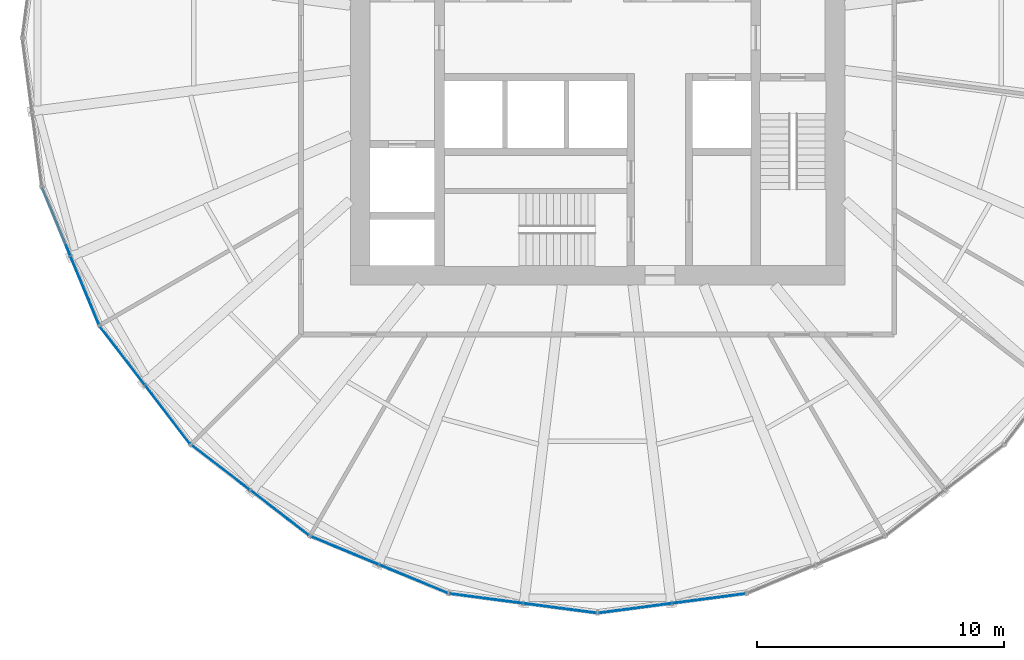
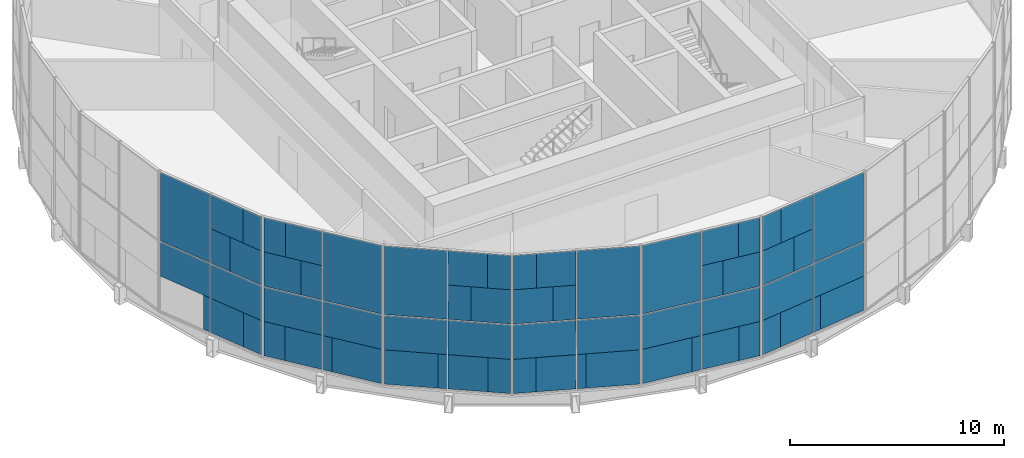
# One storey, part 8 of 18: 65 plates, 6 elements without a shape of their own.
"""IFC4 building model written with IfcOpenShell, lengths in metres."""

from ifc_helpers import new_model, si_unit, direction, frame, origin, origin_2d, place, context, subcontext, project, spatial, rectangle, extrude, material, layer, layer_set, type_object, element, aggregate, save


model = new_model("IFC4")

# Units and contexts
model_context = context("Model", 3, precision=1e-05, world=origin(), true_north=direction((0.0, 1.0)))
body_context = subcontext(model_context, "Body", "Model", "MODEL_VIEW")
ifc_project = project(units=[si_unit("LENGTHUNIT", "METRE"), si_unit("AREAUNIT", "SQUARE_METRE"), si_unit("VOLUMEUNIT", "CUBIC_METRE"), si_unit("PLANEANGLEUNIT", "RADIAN"), si_unit("MASSUNIT", "GRAM", prefix="KILO")], contexts=[model_context])

# Site, building, storey
site_placement = place(None, origin())
site = spatial("IfcSite", under=ifc_project, at=site_placement, CompositionType="ELEMENT")
building_placement = place(site_placement, origin())
building = spatial("IfcBuilding", under=site, at=building_placement, Name="Golbaran Civic Tower", CompositionType="ELEMENT")
storey_placement = place(building_placement, frame((0.0, 0.0, 45.0)))
storey = spatial("IfcBuildingStorey", under=building, at=storey_placement, Name="L10", CompositionType="ELEMENT", Elevation=45.0)

# Curtain wall, plates
ifc_material_1 = material(Name="Aluminium and glass", Category="aluminium")
curtain_wall_type = type_object("IfcCurtainWallType", Name="INNER SKIN CURTAIN WALL", PredefinedType="NOTDEFINED", material=ifc_material_1)
curtain_wall_1_placement = place(storey_placement, origin())
curtain_wall_1 = element("IfcCurtainWall", 1, at=curtain_wall_1_placement, inside=storey, type_object=curtain_wall_type, Name="Inner skin L10 facet 14 CW1", ObjectType="INNER SKIN", PredefinedType="USERDEFINED")
ifc_material_2 = material(Name="Clear insulating glass", Category="glass")
ifc_layer_1 = layer(ifc_material_2, 0.031982421875, Name="Clear insulating glass")
ifc_layer_set_1 = layer_set([ifc_layer_1], Name="Clear insulating glass")
plate_type_1 = type_object("IfcPlateType", Name="INNER SKIN CURTAIN WALL GLAZED PANEL", PredefinedType="CURTAIN_PANEL", material=ifc_layer_set_1)
plate_1_placement = place(storey_placement, frame((-21.890625, -7.441162109375, 2.016357421875), z_axis=(0.0, 0.0, 1.0), x_axis=(0.38268343251, -0.923879532451, 0.0)))
plate_1 = element("IfcPlate", 2, at=plate_1_placement, type_object=plate_type_1, Name="CW1 panel 1.1 part 3", PredefinedType="CURTAIN_PANEL", context=body_context, shape_type="SweptSolid", body=[
    extrude(rectangle(XDim=2.93994140625, YDim=0.031982421875, at=origin_2d()), origin(), (0.0, 0.0, 1.0), 1.951171875),
])
plate_2_placement = place(storey_placement, frame((-21.890625, -7.441162109375, 4.0322265625), z_axis=(0.0, 0.0, 1.0), x_axis=(0.38268343251, -0.923879532451, 0.0)))
plate_2 = element("IfcPlate", 3, at=plate_2_placement, type_object=plate_type_1, Name="CW1 panel 1.2", PredefinedType="CURTAIN_PANEL", context=body_context, shape_type="SweptSolid", body=[
    extrude(rectangle(XDim=2.93994140625, YDim=0.031982421875, at=origin_2d()), origin(), (0.0, 0.0, 1.0), 3.902587890625),
])
plate_3_placement = place(storey_placement, frame((-20.380859375, -11.086181640625, 0.06494140625), z_axis=(0.0, 0.0, 1.0), x_axis=(0.38268343251, -0.923879532451, 0.0)))
plate_3 = element("IfcPlate", 4, at=plate_3_placement, type_object=plate_type_1, Name="CW1 panel 2.1 part 2", PredefinedType="CURTAIN_PANEL", context=body_context, shape_type="SweptSolid", body=[
    extrude(rectangle(XDim=1.05908203125, YDim=0.031982421875, at=origin_2d()), origin(), (0.0, 0.0, 1.0), 1.951171875),
])
plate_4_placement = place(storey_placement, frame((-21.09619140625, -9.359130859375, 4.032470703125), z_axis=(0.0, 0.0, 1.0), x_axis=(0.38268343251, -0.923879532451, 0.0)))
plate_4 = element("IfcPlate", 5, at=plate_4_placement, type_object=plate_type_1, Name="CW1 panel 2.2 part 1", PredefinedType="CURTAIN_PANEL", context=body_context, shape_type="SweptSolid", body=[
    extrude(rectangle(XDim=1.08203125, YDim=0.031982421875, at=origin_2d()), origin(), (0.0, 0.0, 1.0), 1.951171875),
])
plate_5_placement = place(storey_placement, frame((-20.947998046875, -9.717041015625, 5.98388671875), z_axis=(0.0, 0.0, 1.0), x_axis=(0.38268343251, -0.923879532451, 0.0)))
plate_5 = element("IfcPlate", 6, at=plate_5_placement, type_object=plate_type_1, Name="CW1 panel 2.2 part 3", PredefinedType="CURTAIN_PANEL", context=body_context, shape_type="SweptSolid", body=[
    extrude(rectangle(XDim=1.85693359375, YDim=0.031982421875, at=origin_2d()), origin(), (0.0, 0.0, 1.0), 1.951171875),
])

curtain_wall_2_placement = place(storey_placement, origin())
curtain_wall_2 = element("IfcCurtainWall", 7, at=curtain_wall_2_placement, inside=storey, type_object=curtain_wall_type, Name="Inner skin L10 facet 15 CW1", ObjectType="INNER SKIN", PredefinedType="USERDEFINED")
plate_6_placement = place(storey_placement, frame((-19.791259765625, -12.107177734375, 0.06494140625), z_axis=(0.0, 0.0, 1.0), x_axis=(0.608761428953, -0.793353340334, 0.0)))
plate_6 = element("IfcPlate", 8, at=plate_6_placement, type_object=plate_type_1, Name="CW1 panel 1.1 part 1", PredefinedType="CURTAIN_PANEL", context=body_context, shape_type="SweptSolid", body=[
    extrude(rectangle(XDim=1.05908203125, YDim=0.031982421875, at=origin_2d()), origin(), (0.0, 0.0, 1.0), 1.951171875),
])
plate_7_placement = place(storey_placement, frame((-18.6533203125, -13.59033203125, 4.032470703125), z_axis=(0.0, 0.0, 1.0), x_axis=(0.608761428953, -0.793353340334, 0.0)))
plate_7 = element("IfcPlate", 9, at=plate_7_placement, type_object=plate_type_1, Name="CW1 panel 1.2 part 2", PredefinedType="CURTAIN_PANEL", context=body_context, shape_type="SweptSolid", body=[
    extrude(rectangle(XDim=1.08203125, YDim=0.031982421875, at=origin_2d()), origin(), (0.0, 0.0, 1.0), 1.951171875),
])
plate_8_placement = place(storey_placement, frame((-18.88916015625, -13.282958984375, 5.98388671875), z_axis=(0.0, 0.0, 1.0), x_axis=(0.608761428953, -0.793353340334, 0.0)))
plate_8 = element("IfcPlate", 10, at=plate_8_placement, type_object=plate_type_1, Name="CW1 panel 1.2 part 4", PredefinedType="CURTAIN_PANEL", context=body_context, shape_type="SweptSolid", body=[
    extrude(rectangle(XDim=1.85693359375, YDim=0.031982421875, at=origin_2d()), origin(), (0.0, 0.0, 1.0), 1.951171875),
])
plate_9_placement = place(storey_placement, frame((-17.260986328125, -15.40478515625, 0.06494140625), z_axis=(0.0, 0.0, 1.0), x_axis=(0.608761428953, -0.793353340334, 0.0)))
plate_9 = element("IfcPlate", 11, at=plate_9_placement, type_object=plate_type_1, Name="CW1 panel 2.1 part 2", PredefinedType="CURTAIN_PANEL", context=body_context, shape_type="SweptSolid", body=[
    extrude(rectangle(XDim=2.51806640625, YDim=0.031982421875, at=origin_2d()), origin(), (0.0, 0.0, 1.0), 1.951171875),
])
plate_10_placement = place(storey_placement, frame((-17.389404296875, -15.2373046875, 2.016357421875), z_axis=(0.0, 0.0, 1.0), x_axis=(0.608761428953, -0.793353340334, 0.0)))
plate_10 = element("IfcPlate", 12, at=plate_10_placement, type_object=plate_type_1, Name="CW1 panel 2.1 part 3", PredefinedType="CURTAIN_PANEL", context=body_context, shape_type="SweptSolid", body=[
    extrude(rectangle(XDim=2.93994140625, YDim=0.031982421875, at=origin_2d()), origin(), (0.0, 0.0, 1.0), 1.951171875),
])
plate_11_placement = place(storey_placement, frame((-17.389404296875, -15.2373046875, 4.0322265625), z_axis=(0.0, 0.0, 1.0), x_axis=(0.608761428953, -0.793353340334, 0.0)))
plate_11 = element("IfcPlate", 13, at=plate_11_placement, type_object=plate_type_1, Name="CW1 panel 2.2", PredefinedType="CURTAIN_PANEL", context=body_context, shape_type="SweptSolid", body=[
    extrude(rectangle(XDim=2.93994140625, YDim=0.031982421875, at=origin_2d()), origin(), (0.0, 0.0, 1.0), 3.902587890625),
])

curtain_wall_3_placement = place(storey_placement, origin())
curtain_wall_3 = element("IfcCurtainWall", 14, at=curtain_wall_3_placement, inside=storey, type_object=curtain_wall_type, Name="Inner skin L10 facet 16 CW1", ObjectType="INNER SKIN", PredefinedType="USERDEFINED")
plate_12_placement = place(storey_placement, frame((-15.40478515625, -17.260986328125, 0.06494140625), z_axis=(0.0, 0.0, 1.0), x_axis=(0.793353340334, -0.608761428953, 0.0)))
plate_12 = element("IfcPlate", 15, at=plate_12_placement, type_object=plate_type_1, Name="CW1 panel 1.1 part 1", PredefinedType="CURTAIN_PANEL", context=body_context, shape_type="SweptSolid", body=[
    extrude(rectangle(XDim=2.51806640625, YDim=0.031982421875, at=origin_2d()), origin(), (0.0, 0.0, 1.0), 1.951171875),
])
plate_13_placement = place(storey_placement, frame((-15.2373046875, -17.389404296875, 2.016357421875), z_axis=(0.0, 0.0, 1.0), x_axis=(0.793353340334, -0.608761428953, 0.0)))
plate_13 = element("IfcPlate", 16, at=plate_13_placement, type_object=plate_type_1, Name="CW1 panel 1.1 part 3", PredefinedType="CURTAIN_PANEL", context=body_context, shape_type="SweptSolid", body=[
    extrude(rectangle(XDim=2.93994140625, YDim=0.031982421875, at=origin_2d()), origin(), (0.0, 0.0, 1.0), 1.951171875),
])
plate_14_placement = place(storey_placement, frame((-15.2373046875, -17.389404296875, 4.0322265625), z_axis=(0.0, 0.0, 1.0), x_axis=(0.793353340334, -0.608761428953, 0.0)))
plate_14 = element("IfcPlate", 17, at=plate_14_placement, type_object=plate_type_1, Name="CW1 panel 1.2", PredefinedType="CURTAIN_PANEL", context=body_context, shape_type="SweptSolid", body=[
    extrude(rectangle(XDim=2.93994140625, YDim=0.031982421875, at=origin_2d()), origin(), (0.0, 0.0, 1.0), 3.902587890625),
])
plate_15_placement = place(storey_placement, frame((-12.107177734375, -19.791259765625, 0.06494140625), z_axis=(0.0, 0.0, 1.0), x_axis=(0.793353340334, -0.608761428953, 0.0)))
plate_15 = element("IfcPlate", 18, at=plate_15_placement, type_object=plate_type_1, Name="CW1 panel 2.1 part 2", PredefinedType="CURTAIN_PANEL", context=body_context, shape_type="SweptSolid", body=[
    extrude(rectangle(XDim=1.05908203125, YDim=0.031982421875, at=origin_2d()), origin(), (0.0, 0.0, 1.0), 1.951171875),
])
plate_16_placement = place(storey_placement, frame((-13.59033203125, -18.6533203125, 4.032470703125), z_axis=(0.0, 0.0, 1.0), x_axis=(0.793353340334, -0.608761428953, 0.0)))
plate_16 = element("IfcPlate", 19, at=plate_16_placement, type_object=plate_type_1, Name="CW1 panel 2.2 part 1", PredefinedType="CURTAIN_PANEL", context=body_context, shape_type="SweptSolid", body=[
    extrude(rectangle(XDim=1.08203125, YDim=0.031982421875, at=origin_2d()), origin(), (0.0, 0.0, 1.0), 1.951171875),
])
plate_17_placement = place(storey_placement, frame((-13.282958984375, -18.88916015625, 5.98388671875), z_axis=(0.0, 0.0, 1.0), x_axis=(0.793353340334, -0.608761428953, 0.0)))
plate_17 = element("IfcPlate", 20, at=plate_17_placement, type_object=plate_type_1, Name="CW1 panel 2.2 part 3", PredefinedType="CURTAIN_PANEL", context=body_context, shape_type="SweptSolid", body=[
    extrude(rectangle(XDim=1.85693359375, YDim=0.031982421875, at=origin_2d()), origin(), (0.0, 0.0, 1.0), 1.951171875),
])

curtain_wall_4_placement = place(storey_placement, origin())
curtain_wall_4 = element("IfcCurtainWall", 21, at=curtain_wall_4_placement, inside=storey, type_object=curtain_wall_type, Name="Inner skin L10 facet 17 CW1", ObjectType="INNER SKIN", PredefinedType="USERDEFINED")
plate_18_placement = place(storey_placement, frame((-11.086181640625, -20.380859375, 0.06494140625), z_axis=(0.0, 0.0, 1.0), x_axis=(0.923879532451, -0.38268343251, 0.0)))
plate_18 = element("IfcPlate", 22, at=plate_18_placement, type_object=plate_type_1, Name="CW1 panel 1.1 part 1", PredefinedType="CURTAIN_PANEL", context=body_context, shape_type="SweptSolid", body=[
    extrude(rectangle(XDim=1.05908203125, YDim=0.031982421875, at=origin_2d()), origin(), (0.0, 0.0, 1.0), 1.951171875),
])
plate_19_placement = place(storey_placement, frame((-9.359130859375, -21.09619140625, 4.032470703125), z_axis=(0.0, 0.0, 1.0), x_axis=(0.923879532451, -0.38268343251, 0.0)))
plate_19 = element("IfcPlate", 23, at=plate_19_placement, type_object=plate_type_1, Name="CW1 panel 1.2 part 2", PredefinedType="CURTAIN_PANEL", context=body_context, shape_type="SweptSolid", body=[
    extrude(rectangle(XDim=1.08203125, YDim=0.031982421875, at=origin_2d()), origin(), (0.0, 0.0, 1.0), 1.951171875),
])
plate_20_placement = place(storey_placement, frame((-9.717041015625, -20.947998046875, 5.98388671875), z_axis=(0.0, 0.0, 1.0), x_axis=(0.923879532451, -0.38268343251, 0.0)))
plate_20 = element("IfcPlate", 24, at=plate_20_placement, type_object=plate_type_1, Name="CW1 panel 1.2 part 4", PredefinedType="CURTAIN_PANEL", context=body_context, shape_type="SweptSolid", body=[
    extrude(rectangle(XDim=1.85693359375, YDim=0.031982421875, at=origin_2d()), origin(), (0.0, 0.0, 1.0), 1.951171875),
])
plate_21_placement = place(storey_placement, frame((-7.24609375, -21.971435546875, 0.06494140625), z_axis=(0.0, 0.0, 1.0), x_axis=(0.923879532451, -0.38268343251, 0.0)))
plate_21 = element("IfcPlate", 25, at=plate_21_placement, type_object=plate_type_1, Name="CW1 panel 2.1 part 2", PredefinedType="CURTAIN_PANEL", context=body_context, shape_type="SweptSolid", body=[
    extrude(rectangle(XDim=2.51806640625, YDim=0.031982421875, at=origin_2d()), origin(), (0.0, 0.0, 1.0), 1.951171875),
])
plate_22_placement = place(storey_placement, frame((-7.441162109375, -21.890625, 2.016357421875), z_axis=(0.0, 0.0, 1.0), x_axis=(0.923879532451, -0.38268343251, 0.0)))
plate_22 = element("IfcPlate", 26, at=plate_22_placement, type_object=plate_type_1, Name="CW1 panel 2.1 part 3", PredefinedType="CURTAIN_PANEL", context=body_context, shape_type="SweptSolid", body=[
    extrude(rectangle(XDim=2.93994140625, YDim=0.031982421875, at=origin_2d()), origin(), (0.0, 0.0, 1.0), 1.951171875),
])
plate_23_placement = place(storey_placement, frame((-7.441162109375, -21.890625, 4.0322265625), z_axis=(0.0, 0.0, 1.0), x_axis=(0.923879532451, -0.38268343251, 0.0)))
plate_23 = element("IfcPlate", 27, at=plate_23_placement, type_object=plate_type_1, Name="CW1 panel 2.2", PredefinedType="CURTAIN_PANEL", context=body_context, shape_type="SweptSolid", body=[
    extrude(rectangle(XDim=2.93994140625, YDim=0.031982421875, at=origin_2d()), origin(), (0.0, 0.0, 1.0), 3.902587890625),
])

curtain_wall_5_placement = place(storey_placement, origin())
curtain_wall_5 = element("IfcCurtainWall", 28, at=curtain_wall_5_placement, inside=storey, type_object=curtain_wall_type, Name="Inner skin L10 facet 18 CW1", ObjectType="INNER SKIN", PredefinedType="USERDEFINED")
plate_24_placement = place(storey_placement, frame((-4.710205078125, -22.65087890625, 0.06494140625), z_axis=(0.0, 0.0, 1.0), x_axis=(0.991444861385, -0.130526192134, 0.0)))
plate_24 = element("IfcPlate", 29, at=plate_24_placement, type_object=plate_type_1, Name="CW1 panel 1.1 part 1", PredefinedType="CURTAIN_PANEL", context=body_context, shape_type="SweptSolid", body=[
    extrude(rectangle(XDim=2.51806640625, YDim=0.031982421875, at=origin_2d()), origin(), (0.0, 0.0, 1.0), 1.951171875),
])
plate_25_placement = place(storey_placement, frame((-4.501220703125, -22.678466796875, 2.016357421875), z_axis=(0.0, 0.0, 1.0), x_axis=(0.991444861385, -0.130526192134, 0.0)))
plate_25 = element("IfcPlate", 30, at=plate_25_placement, type_object=plate_type_1, Name="CW1 panel 1.1 part 3", PredefinedType="CURTAIN_PANEL", context=body_context, shape_type="SweptSolid", body=[
    extrude(rectangle(XDim=2.93994140625, YDim=0.031982421875, at=origin_2d()), origin(), (0.0, 0.0, 1.0), 1.951171875),
])
plate_26_placement = place(storey_placement, frame((-4.501220703125, -22.678466796875, 4.0322265625), z_axis=(0.0, 0.0, 1.0), x_axis=(0.991444861385, -0.130526192134, 0.0)))
plate_26 = element("IfcPlate", 31, at=plate_26_placement, type_object=plate_type_1, Name="CW1 panel 1.2", PredefinedType="CURTAIN_PANEL", context=body_context, shape_type="SweptSolid", body=[
    extrude(rectangle(XDim=2.93994140625, YDim=0.031982421875, at=origin_2d()), origin(), (0.0, 0.0, 1.0), 3.902587890625),
])
plate_27_placement = place(storey_placement, frame((-0.58935546875, -23.193359375, 0.06494140625), z_axis=(0.0, 0.0, 1.0), x_axis=(0.991444861385, -0.130526192134, 0.0)))
plate_27 = element("IfcPlate", 32, at=plate_27_placement, type_object=plate_type_1, Name="CW1 panel 2.1 part 2", PredefinedType="CURTAIN_PANEL", context=body_context, shape_type="SweptSolid", body=[
    extrude(rectangle(XDim=1.05908203125, YDim=0.031982421875, at=origin_2d()), origin(), (0.0, 0.0, 1.0), 1.951171875),
])
plate_28_placement = place(storey_placement, frame((-2.44287109375, -22.949462890625, 4.032470703125), z_axis=(0.0, 0.0, 1.0), x_axis=(0.991444861385, -0.130526192134, 0.0)))
plate_28 = element("IfcPlate", 33, at=plate_28_placement, type_object=plate_type_1, Name="CW1 panel 2.2 part 1", PredefinedType="CURTAIN_PANEL", context=body_context, shape_type="SweptSolid", body=[
    extrude(rectangle(XDim=1.08203125, YDim=0.031982421875, at=origin_2d()), origin(), (0.0, 0.0, 1.0), 1.951171875),
])
plate_29_placement = place(storey_placement, frame((-2.05859375, -23.0, 5.98388671875), z_axis=(0.0, 0.0, 1.0), x_axis=(0.991444861385, -0.130526192134, 0.0)))
plate_29 = element("IfcPlate", 34, at=plate_29_placement, type_object=plate_type_1, Name="CW1 panel 2.2 part 3", PredefinedType="CURTAIN_PANEL", context=body_context, shape_type="SweptSolid", body=[
    extrude(rectangle(XDim=1.85693359375, YDim=0.031982421875, at=origin_2d()), origin(), (0.0, 0.0, 1.0), 1.951171875),
])

curtain_wall_6_placement = place(storey_placement, origin())
curtain_wall_6 = element("IfcCurtainWall", 35, at=curtain_wall_6_placement, inside=storey, type_object=curtain_wall_type, Name="Inner skin L10 facet 19 CW1", ObjectType="INNER SKIN", PredefinedType="USERDEFINED")
plate_30_placement = place(storey_placement, frame((0.58935546875, -23.193359375, 0.06494140625), z_axis=(0.0, 0.0, 1.0), x_axis=(0.991444861385, 0.130526192134, 0.0)))
plate_30 = element("IfcPlate", 36, at=plate_30_placement, type_object=plate_type_1, Name="CW1 panel 1.1 part 1", PredefinedType="CURTAIN_PANEL", context=body_context, shape_type="SweptSolid", body=[
    extrude(rectangle(XDim=1.05908203125, YDim=0.031982421875, at=origin_2d()), origin(), (0.0, 0.0, 1.0), 1.951171875),
])
plate_31_placement = place(storey_placement, frame((2.44287109375, -22.949462890625, 4.032470703125), z_axis=(0.0, 0.0, 1.0), x_axis=(0.991444861385, 0.130526192134, 0.0)))
plate_31 = element("IfcPlate", 37, at=plate_31_placement, type_object=plate_type_1, Name="CW1 panel 1.2 part 2", PredefinedType="CURTAIN_PANEL", context=body_context, shape_type="SweptSolid", body=[
    extrude(rectangle(XDim=1.08203125, YDim=0.031982421875, at=origin_2d()), origin(), (0.0, 0.0, 1.0), 1.951171875),
])
plate_32_placement = place(storey_placement, frame((2.058837890625, -23.0, 5.98388671875), z_axis=(0.0, 0.0, 1.0), x_axis=(0.991444861385, 0.130526192134, 0.0)))
plate_32 = element("IfcPlate", 38, at=plate_32_placement, type_object=plate_type_1, Name="CW1 panel 1.2 part 4", PredefinedType="CURTAIN_PANEL", context=body_context, shape_type="SweptSolid", body=[
    extrude(rectangle(XDim=1.85693359375, YDim=0.031982421875, at=origin_2d()), origin(), (0.0, 0.0, 1.0), 1.951171875),
])
plate_33_placement = place(storey_placement, frame((4.710205078125, -22.65087890625, 0.06494140625), z_axis=(0.0, 0.0, 1.0), x_axis=(0.991444861385, 0.130526192134, 0.0)))
plate_33 = element("IfcPlate", 39, at=plate_33_placement, type_object=plate_type_1, Name="CW1 panel 2.1 part 2", PredefinedType="CURTAIN_PANEL", context=body_context, shape_type="SweptSolid", body=[
    extrude(rectangle(XDim=2.51806640625, YDim=0.031982421875, at=origin_2d()), origin(), (0.0, 0.0, 1.0), 1.951171875),
])
plate_34_placement = place(storey_placement, frame((4.501220703125, -22.678466796875, 2.016357421875), z_axis=(0.0, 0.0, 1.0), x_axis=(0.991444861385, 0.130526192134, 0.0)))
plate_34 = element("IfcPlate", 40, at=plate_34_placement, type_object=plate_type_1, Name="CW1 panel 2.1 part 3", PredefinedType="CURTAIN_PANEL", context=body_context, shape_type="SweptSolid", body=[
    extrude(rectangle(XDim=2.93994140625, YDim=0.031982421875, at=origin_2d()), origin(), (0.0, 0.0, 1.0), 1.951171875),
])
plate_35_placement = place(storey_placement, frame((4.501220703125, -22.678466796875, 4.0322265625), z_axis=(0.0, 0.0, 1.0), x_axis=(0.991444861385, 0.130526192134, 0.0)))
plate_35 = element("IfcPlate", 41, at=plate_35_placement, type_object=plate_type_1, Name="CW1 panel 2.2", PredefinedType="CURTAIN_PANEL", context=body_context, shape_type="SweptSolid", body=[
    extrude(rectangle(XDim=2.93994140625, YDim=0.031982421875, at=origin_2d()), origin(), (0.0, 0.0, 1.0), 3.902587890625),
])

# Plate
ifc_material_3 = material(Name="Aluminium faced opaque infill panel", Category="aluminium")
ifc_layer_2 = layer(ifc_material_3, 0.031982421875, Name="Aluminium faced opaque infill panel")
ifc_layer_set_2 = layer_set([ifc_layer_2], Name="Aluminium faced opaque infill panel")
plate_type_2 = type_object("IfcPlateType", Name="INNER SKIN CURTAIN WALL OPAQUE INFILL PANEL", PredefinedType="CURTAIN_PANEL", material=ifc_layer_set_2)
plate_36_placement = place(storey_placement, frame((-21.408935546875, -8.604248046875, 0.06494140625), z_axis=(0.0, 0.0, 1.0), x_axis=(0.38268343251, -0.923879532451, 0.0)))
plate_36 = element("IfcPlate", 42, at=plate_36_placement, type_object=plate_type_2, Name="CW1 infill panel 1.1 part 2", PredefinedType="CURTAIN_PANEL", context=body_context, shape_type="SweptSolid", body=[
    extrude(rectangle(XDim=0.421875, YDim=0.031982421875, at=origin_2d()), origin(), (0.0, 0.0, 1.0), 1.951171875),
])

plate_37_placement = place(storey_placement, frame((-20.943359375, -9.728271484375, 0.06494140625), z_axis=(0.0, 0.0, 1.0), x_axis=(0.38268343251, -0.923879532451, 0.0)))
plate_37 = element("IfcPlate", 43, at=plate_37_placement, type_object=plate_type_2, Name="CW1 infill panel 2.1 part 1", PredefinedType="CURTAIN_PANEL", context=body_context, shape_type="SweptSolid", body=[
    extrude(rectangle(XDim=1.881103515625, YDim=0.031982421875, at=origin_2d()), origin(), (0.0, 0.0, 1.0), 1.951171875),
])

plate_38_placement = place(storey_placement, frame((-20.74072265625, -10.21728515625, 2.016357421875), z_axis=(0.0, 0.0, 1.0), x_axis=(0.38268343251, -0.923879532451, 0.0)))
plate_38 = element("IfcPlate", 44, at=plate_38_placement, type_object=plate_type_2, Name="CW1 infill panel 2.1 part 3", PredefinedType="CURTAIN_PANEL", context=body_context, shape_type="SweptSolid", body=[
    extrude(rectangle(XDim=2.93994140625, YDim=0.031982421875, at=origin_2d()), origin(), (0.0, 0.0, 1.0), 1.951171875),
])

plate_39_placement = place(storey_placement, frame((-20.53369140625, -10.71728515625, 4.032470703125), z_axis=(0.0, 0.0, 1.0), x_axis=(0.38268343251, -0.923879532451, 0.0)))
plate_39 = element("IfcPlate", 45, at=plate_39_placement, type_object=plate_type_2, Name="CW1 infill panel 2.2 part 2", PredefinedType="CURTAIN_PANEL", context=body_context, shape_type="SweptSolid", body=[
    extrude(rectangle(XDim=1.85791015625, YDim=0.031982421875, at=origin_2d()), origin(), (0.0, 0.0, 1.0), 1.951171875),
])

plate_40_placement = place(storey_placement, frame((-20.38525390625, -11.0751953125, 5.98388671875), z_axis=(0.0, 0.0, 1.0), x_axis=(0.38268343251, -0.923879532451, 0.0)))
plate_40 = element("IfcPlate", 46, at=plate_40_placement, type_object=plate_type_2, Name="CW1 infill panel 2.2 part 4", PredefinedType="CURTAIN_PANEL", context=body_context, shape_type="SweptSolid", body=[
    extrude(rectangle(XDim=1.0830078125, YDim=0.031982421875, at=origin_2d()), origin(), (0.0, 0.0, 1.0), 1.951171875),
])

aggregate(curtain_wall_1, [plate_36, plate_1, plate_2, plate_37, plate_3, plate_38, plate_4, plate_39, plate_5, plate_40])

plate_41_placement = place(storey_placement, frame((-18.896484375, -13.2734375, 0.06494140625), z_axis=(0.0, 0.0, 1.0), x_axis=(0.608761428953, -0.793353340334, 0.0)))
plate_41 = element("IfcPlate", 47, at=plate_41_placement, type_object=plate_type_2, Name="CW1 infill panel 1.1 part 2", PredefinedType="CURTAIN_PANEL", context=body_context, shape_type="SweptSolid", body=[
    extrude(rectangle(XDim=1.880859375, YDim=0.031982421875, at=origin_2d()), origin(), (0.0, 0.0, 1.0), 1.951171875),
])

plate_42_placement = place(storey_placement, frame((-19.21875, -12.853271484375, 2.016357421875), z_axis=(0.0, 0.0, 1.0), x_axis=(0.608761428953, -0.793353340334, 0.0)))
plate_42 = element("IfcPlate", 48, at=plate_42_placement, type_object=plate_type_2, Name="CW1 infill panel 1.1 part 3", PredefinedType="CURTAIN_PANEL", context=body_context, shape_type="SweptSolid", body=[
    extrude(rectangle(XDim=2.93994140625, YDim=0.031982421875, at=origin_2d()), origin(), (0.0, 0.0, 1.0), 1.951171875),
])

plate_43_placement = place(storey_placement, frame((-19.548095703125, -12.424072265625, 4.032470703125), z_axis=(0.0, 0.0, 1.0), x_axis=(0.608761428953, -0.793353340334, 0.0)))
plate_43 = element("IfcPlate", 49, at=plate_43_placement, type_object=plate_type_2, Name="CW1 infill panel 1.2 part 1", PredefinedType="CURTAIN_PANEL", context=body_context, shape_type="SweptSolid", body=[
    extrude(rectangle(XDim=1.85791015625, YDim=0.031982421875, at=origin_2d()), origin(), (0.0, 0.0, 1.0), 1.951171875),
])

plate_44_placement = place(storey_placement, frame((-19.7841796875, -12.11669921875, 5.98388671875), z_axis=(0.0, 0.0, 1.0), x_axis=(0.608761428953, -0.793353340334, 0.0)))
plate_44 = element("IfcPlate", 50, at=plate_44_placement, type_object=plate_type_2, Name="CW1 infill panel 1.2 part 3", PredefinedType="CURTAIN_PANEL", context=body_context, shape_type="SweptSolid", body=[
    extrude(rectangle(XDim=1.0830078125, YDim=0.031982421875, at=origin_2d()), origin(), (0.0, 0.0, 1.0), 1.951171875),
])

plate_45_placement = place(storey_placement, frame((-18.156005859375, -14.238525390625, 0.06494140625), z_axis=(0.0, 0.0, 1.0), x_axis=(0.608761428953, -0.793353340334, 0.0)))
plate_45 = element("IfcPlate", 51, at=plate_45_placement, type_object=plate_type_2, Name="CW1 infill panel 2.1 part 1", PredefinedType="CURTAIN_PANEL", context=body_context, shape_type="SweptSolid", body=[
    extrude(rectangle(XDim=0.422119140625, YDim=0.031982421875, at=origin_2d()), origin(), (0.0, 0.0, 1.0), 1.951171875),
])

aggregate(curtain_wall_2, [plate_6, plate_41, plate_42, plate_43, plate_7, plate_44, plate_8, plate_45, plate_9, plate_10, plate_11])

plate_46_placement = place(storey_placement, frame((-14.238525390625, -18.156005859375, 0.06494140625), z_axis=(0.0, 0.0, 1.0), x_axis=(0.793353340334, -0.608761428953, 0.0)))
plate_46 = element("IfcPlate", 52, at=plate_46_placement, type_object=plate_type_2, Name="CW1 infill panel 1.1 part 2", PredefinedType="CURTAIN_PANEL", context=body_context, shape_type="SweptSolid", body=[
    extrude(rectangle(XDim=0.421875, YDim=0.031982421875, at=origin_2d()), origin(), (0.0, 0.0, 1.0), 1.951171875),
])

plate_47_placement = place(storey_placement, frame((-13.2734375, -18.896484375, 0.06494140625), z_axis=(0.0, 0.0, 1.0), x_axis=(0.793353340334, -0.608761428953, 0.0)))
plate_47 = element("IfcPlate", 53, at=plate_47_placement, type_object=plate_type_2, Name="CW1 infill panel 2.1 part 1", PredefinedType="CURTAIN_PANEL", context=body_context, shape_type="SweptSolid", body=[
    extrude(rectangle(XDim=1.881103515625, YDim=0.031982421875, at=origin_2d()), origin(), (0.0, 0.0, 1.0), 1.951171875),
])

plate_48_placement = place(storey_placement, frame((-12.853271484375, -19.21875, 2.016357421875), z_axis=(0.0, 0.0, 1.0), x_axis=(0.793353340334, -0.608761428953, 0.0)))
plate_48 = element("IfcPlate", 54, at=plate_48_placement, type_object=plate_type_2, Name="CW1 infill panel 2.1 part 3", PredefinedType="CURTAIN_PANEL", context=body_context, shape_type="SweptSolid", body=[
    extrude(rectangle(XDim=2.93994140625, YDim=0.031982421875, at=origin_2d()), origin(), (0.0, 0.0, 1.0), 1.951171875),
])

plate_49_placement = place(storey_placement, frame((-12.424072265625, -19.548095703125, 4.032470703125), z_axis=(0.0, 0.0, 1.0), x_axis=(0.793353340334, -0.608761428953, 0.0)))
plate_49 = element("IfcPlate", 55, at=plate_49_placement, type_object=plate_type_2, Name="CW1 infill panel 2.2 part 2", PredefinedType="CURTAIN_PANEL", context=body_context, shape_type="SweptSolid", body=[
    extrude(rectangle(XDim=1.85791015625, YDim=0.031982421875, at=origin_2d()), origin(), (0.0, 0.0, 1.0), 1.951171875),
])

plate_50_placement = place(storey_placement, frame((-12.11669921875, -19.7841796875, 5.98388671875), z_axis=(0.0, 0.0, 1.0), x_axis=(0.793353340334, -0.608761428953, 0.0)))
plate_50 = element("IfcPlate", 56, at=plate_50_placement, type_object=plate_type_2, Name="CW1 infill panel 2.2 part 4", PredefinedType="CURTAIN_PANEL", context=body_context, shape_type="SweptSolid", body=[
    extrude(rectangle(XDim=1.0830078125, YDim=0.031982421875, at=origin_2d()), origin(), (0.0, 0.0, 1.0), 1.951171875),
])

aggregate(curtain_wall_3, [plate_12, plate_46, plate_13, plate_14, plate_47, plate_15, plate_48, plate_16, plate_49, plate_17, plate_50])

plate_51_placement = place(storey_placement, frame((-9.728271484375, -20.943359375, 0.06494140625), z_axis=(0.0, 0.0, 1.0), x_axis=(0.923879532451, -0.38268343251, 0.0)))
plate_51 = element("IfcPlate", 57, at=plate_51_placement, type_object=plate_type_2, Name="CW1 infill panel 1.1 part 2", PredefinedType="CURTAIN_PANEL", context=body_context, shape_type="SweptSolid", body=[
    extrude(rectangle(XDim=1.880859375, YDim=0.031982421875, at=origin_2d()), origin(), (0.0, 0.0, 1.0), 1.951171875),
])

plate_52_placement = place(storey_placement, frame((-10.21728515625, -20.74072265625, 2.016357421875), z_axis=(0.0, 0.0, 1.0), x_axis=(0.923879532451, -0.38268343251, 0.0)))
plate_52 = element("IfcPlate", 58, at=plate_52_placement, type_object=plate_type_2, Name="CW1 infill panel 1.1 part 3", PredefinedType="CURTAIN_PANEL", context=body_context, shape_type="SweptSolid", body=[
    extrude(rectangle(XDim=2.93994140625, YDim=0.031982421875, at=origin_2d()), origin(), (0.0, 0.0, 1.0), 1.951171875),
])

plate_53_placement = place(storey_placement, frame((-10.71728515625, -20.53369140625, 4.032470703125), z_axis=(0.0, 0.0, 1.0), x_axis=(0.923879532451, -0.38268343251, 0.0)))
plate_53 = element("IfcPlate", 59, at=plate_53_placement, type_object=plate_type_2, Name="CW1 infill panel 1.2 part 1", PredefinedType="CURTAIN_PANEL", context=body_context, shape_type="SweptSolid", body=[
    extrude(rectangle(XDim=1.85791015625, YDim=0.031982421875, at=origin_2d()), origin(), (0.0, 0.0, 1.0), 1.951171875),
])

plate_54_placement = place(storey_placement, frame((-11.0751953125, -20.38525390625, 5.98388671875), z_axis=(0.0, 0.0, 1.0), x_axis=(0.923879532451, -0.38268343251, 0.0)))
plate_54 = element("IfcPlate", 60, at=plate_54_placement, type_object=plate_type_2, Name="CW1 infill panel 1.2 part 3", PredefinedType="CURTAIN_PANEL", context=body_context, shape_type="SweptSolid", body=[
    extrude(rectangle(XDim=1.0830078125, YDim=0.031982421875, at=origin_2d()), origin(), (0.0, 0.0, 1.0), 1.951171875),
])

plate_55_placement = place(storey_placement, frame((-8.604248046875, -21.408935546875, 0.06494140625), z_axis=(0.0, 0.0, 1.0), x_axis=(0.923879532451, -0.38268343251, 0.0)))
plate_55 = element("IfcPlate", 61, at=plate_55_placement, type_object=plate_type_2, Name="CW1 infill panel 2.1 part 1", PredefinedType="CURTAIN_PANEL", context=body_context, shape_type="SweptSolid", body=[
    extrude(rectangle(XDim=0.422119140625, YDim=0.031982421875, at=origin_2d()), origin(), (0.0, 0.0, 1.0), 1.951171875),
])

aggregate(curtain_wall_4, [plate_18, plate_51, plate_52, plate_53, plate_19, plate_54, plate_20, plate_55, plate_21, plate_22, plate_23])

plate_56_placement = place(storey_placement, frame((-3.2529296875, -22.8427734375, 0.06494140625), z_axis=(0.0, 0.0, 1.0), x_axis=(0.991444861385, -0.130526192134, 0.0)))
plate_56 = element("IfcPlate", 62, at=plate_56_placement, type_object=plate_type_2, Name="CW1 infill panel 1.1 part 2", PredefinedType="CURTAIN_PANEL", context=body_context, shape_type="SweptSolid", body=[
    extrude(rectangle(XDim=0.421875, YDim=0.031982421875, at=origin_2d()), origin(), (0.0, 0.0, 1.0), 1.951171875),
])

plate_57_placement = place(storey_placement, frame((-2.046875, -23.00146484375, 0.06494140625), z_axis=(0.0, 0.0, 1.0), x_axis=(0.991444861385, -0.130526192134, 0.0)))
plate_57 = element("IfcPlate", 63, at=plate_57_placement, type_object=plate_type_2, Name="CW1 infill panel 2.1 part 1", PredefinedType="CURTAIN_PANEL", context=body_context, shape_type="SweptSolid", body=[
    extrude(rectangle(XDim=1.881103515625, YDim=0.031982421875, at=origin_2d()), origin(), (0.0, 0.0, 1.0), 1.951171875),
])

plate_58_placement = place(storey_placement, frame((-1.52197265625, -23.070556640625, 2.016357421875), z_axis=(0.0, 0.0, 1.0), x_axis=(0.991444861385, -0.130526192134, 0.0)))
plate_58 = element("IfcPlate", 64, at=plate_58_placement, type_object=plate_type_2, Name="CW1 infill panel 2.1 part 3", PredefinedType="CURTAIN_PANEL", context=body_context, shape_type="SweptSolid", body=[
    extrude(rectangle(XDim=2.93994140625, YDim=0.031982421875, at=origin_2d()), origin(), (0.0, 0.0, 1.0), 1.951171875),
])

plate_59_placement = place(storey_placement, frame((-0.985595703125, -23.141357421875, 4.032470703125), z_axis=(0.0, 0.0, 1.0), x_axis=(0.991444861385, -0.130526192134, 0.0)))
plate_59 = element("IfcPlate", 65, at=plate_59_placement, type_object=plate_type_2, Name="CW1 infill panel 2.2 part 2", PredefinedType="CURTAIN_PANEL", context=body_context, shape_type="SweptSolid", body=[
    extrude(rectangle(XDim=1.85791015625, YDim=0.031982421875, at=origin_2d()), origin(), (0.0, 0.0, 1.0), 1.951171875),
])

plate_60_placement = place(storey_placement, frame((-0.601318359375, -23.19189453125, 5.98388671875), z_axis=(0.0, 0.0, 1.0), x_axis=(0.991444861385, -0.130526192134, 0.0)))
plate_60 = element("IfcPlate", 66, at=plate_60_placement, type_object=plate_type_2, Name="CW1 infill panel 2.2 part 4", PredefinedType="CURTAIN_PANEL", context=body_context, shape_type="SweptSolid", body=[
    extrude(rectangle(XDim=1.0830078125, YDim=0.031982421875, at=origin_2d()), origin(), (0.0, 0.0, 1.0), 1.951171875),
])

aggregate(curtain_wall_5, [plate_24, plate_56, plate_25, plate_26, plate_57, plate_27, plate_58, plate_28, plate_59, plate_29, plate_60])

plate_61_placement = place(storey_placement, frame((2.046875, -23.00146484375, 0.06494140625), z_axis=(0.0, 0.0, 1.0), x_axis=(0.991444861385, 0.130526192134, 0.0)))
plate_61 = element("IfcPlate", 67, at=plate_61_placement, type_object=plate_type_2, Name="CW1 infill panel 1.1 part 2", PredefinedType="CURTAIN_PANEL", context=body_context, shape_type="SweptSolid", body=[
    extrude(rectangle(XDim=1.880859375, YDim=0.031982421875, at=origin_2d()), origin(), (0.0, 0.0, 1.0), 1.951171875),
])

plate_62_placement = place(storey_placement, frame((1.52197265625, -23.070556640625, 2.016357421875), z_axis=(0.0, 0.0, 1.0), x_axis=(0.991444861385, 0.130526192134, 0.0)))
plate_62 = element("IfcPlate", 68, at=plate_62_placement, type_object=plate_type_2, Name="CW1 infill panel 1.1 part 3", PredefinedType="CURTAIN_PANEL", context=body_context, shape_type="SweptSolid", body=[
    extrude(rectangle(XDim=2.93994140625, YDim=0.031982421875, at=origin_2d()), origin(), (0.0, 0.0, 1.0), 1.951171875),
])

plate_63_placement = place(storey_placement, frame((0.985595703125, -23.141357421875, 4.032470703125), z_axis=(0.0, 0.0, 1.0), x_axis=(0.991444861385, 0.130526192134, 0.0)))
plate_63 = element("IfcPlate", 69, at=plate_63_placement, type_object=plate_type_2, Name="CW1 infill panel 1.2 part 1", PredefinedType="CURTAIN_PANEL", context=body_context, shape_type="SweptSolid", body=[
    extrude(rectangle(XDim=1.85791015625, YDim=0.031982421875, at=origin_2d()), origin(), (0.0, 0.0, 1.0), 1.951171875),
])

plate_64_placement = place(storey_placement, frame((0.601318359375, -23.19189453125, 5.98388671875), z_axis=(0.0, 0.0, 1.0), x_axis=(0.991444861385, 0.130526192134, 0.0)))
plate_64 = element("IfcPlate", 70, at=plate_64_placement, type_object=plate_type_2, Name="CW1 infill panel 1.2 part 3", PredefinedType="CURTAIN_PANEL", context=body_context, shape_type="SweptSolid", body=[
    extrude(rectangle(XDim=1.0830078125, YDim=0.031982421875, at=origin_2d()), origin(), (0.0, 0.0, 1.0), 1.951171875),
])

plate_65_placement = place(storey_placement, frame((3.2529296875, -22.8427734375, 0.06494140625), z_axis=(0.0, 0.0, 1.0), x_axis=(0.991444861385, 0.130526192134, 0.0)))
plate_65 = element("IfcPlate", 71, at=plate_65_placement, type_object=plate_type_2, Name="CW1 infill panel 2.1 part 1", PredefinedType="CURTAIN_PANEL", context=body_context, shape_type="SweptSolid", body=[
    extrude(rectangle(XDim=0.422119140625, YDim=0.031982421875, at=origin_2d()), origin(), (0.0, 0.0, 1.0), 1.951171875),
])

aggregate(curtain_wall_6, [plate_30, plate_61, plate_62, plate_63, plate_31, plate_64, plate_32, plate_65, plate_33, plate_34, plate_35])

save(model, "model.ifc")
